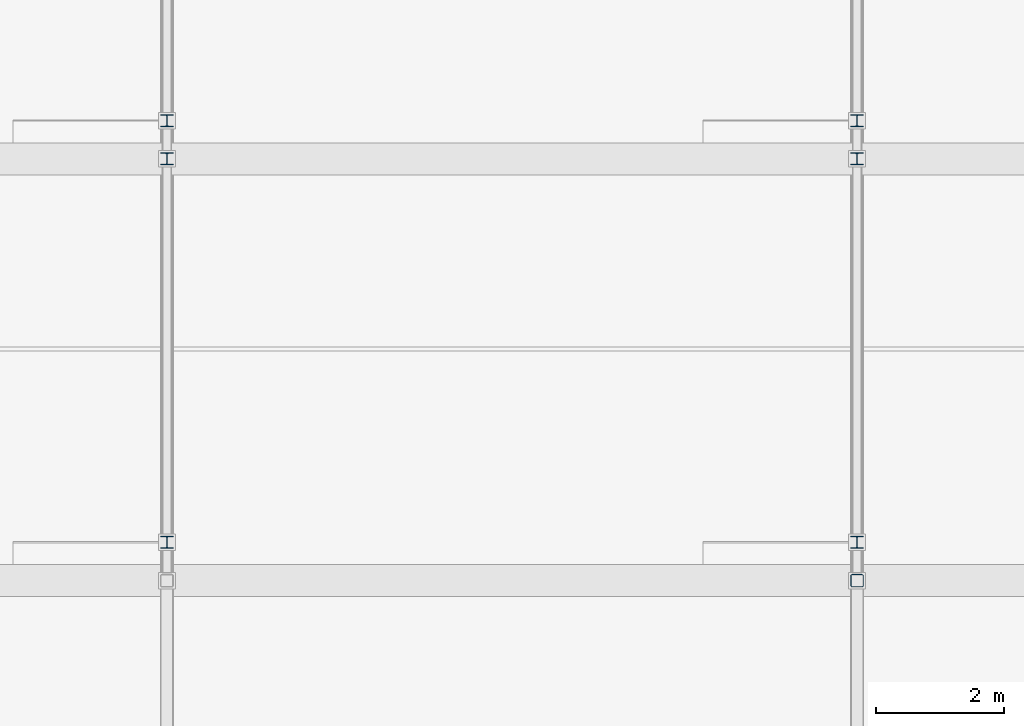
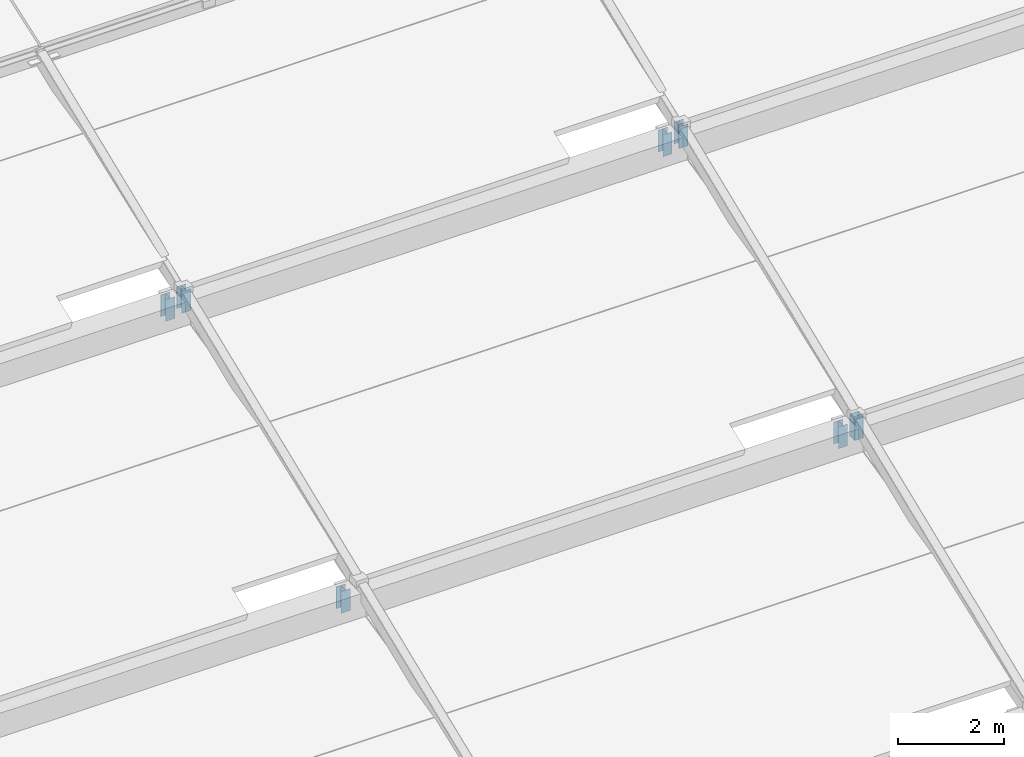
# One storey, part 72 of 112: 7 members.
"""IFC4 building model written with IfcOpenShell, lengths in metres."""

from ifc_helpers import new_model, si_unit, direction, frame, origin, origin_2d, place, context, subcontext, project, spatial, hollow_rectangle, i_section, extrude, material, material_profile, profile_set, type_object, element, save


model = new_model("IFC4")

# Units and contexts
model_context = context("Model", 3, precision=1e-05, world=origin(), true_north=direction((0.0, 1.0)))
body_context = subcontext(model_context, "Body", "Model", "MODEL_VIEW")
ifc_project = project(units=[si_unit("LENGTHUNIT", "METRE"), si_unit("AREAUNIT", "SQUARE_METRE"), si_unit("VOLUMEUNIT", "CUBIC_METRE"), si_unit("PLANEANGLEUNIT", "RADIAN"), si_unit("MASSUNIT", "GRAM", prefix="KILO")], contexts=[model_context])

# Site, building, storey
site_placement = place(None, origin())
site = spatial("IfcSite", under=ifc_project, at=site_placement, CompositionType="ELEMENT")
building_placement = place(site_placement, origin())
building = spatial("IfcBuilding", under=site, at=building_placement, Name="Zwinboog Wholesale Market", CompositionType="ELEMENT")
storey_placement = place(building_placement, frame((0.0, 0.0, 19.080078125)))
storey = spatial("IfcBuildingStorey", under=building, at=storey_placement, Name="Roof", CompositionType="ELEMENT", Elevation=19.080078125)

# Members
ifc_material = material(Name="Steel S355", Category="steel")
ifc_material_profile_1 = material_profile(ifc_material, hollow_rectangle(XDim=0.199951171875, YDim=0.199951171875, WallThickness=0.010009765625, InnerFilletRadius=0.010009765625, OuterFilletRadius=0.02001953125, at=origin_2d()), Name="SHS 200x200x10")
ifc_profile_set_1 = profile_set([ifc_material_profile_1], Name="Steel S355")
member_type_1 = type_object("IfcMemberType", Name="MT-04", PredefinedType="BRACE", material=ifc_profile_set_1)
member_placement = place(storey_placement, frame((108.0, 56.39990234375, -4.630126953125), z_axis=(0.0, 0.0, 1.0), x_axis=(1.0, 0.0, 0.0)))
element("IfcMember", 1, at=member_placement, inside=storey, type_object=member_type_1, Name="DB-01 (MEM-Roof-0128)", PredefinedType="BRACE", context=body_context, shape_type="SweptSolid", body=[
    extrude(hollow_rectangle(XDim=0.199951171875, YDim=0.199951171875, WallThickness=0.010009765625, InnerFilletRadius=0.010009765625, OuterFilletRadius=0.02001953125, at=origin_2d()), origin(), (0.0, 0.0, 1.0), 0.5),
])
ifc_material_profile_2 = material_profile(ifc_material, i_section(OverallWidth=0.199951171875, OverallDepth=0.18994140625, WebThickness=0.006591796875, FlangeThickness=0.010009765625, FilletRadius=0.01806640625, at=origin_2d()), Name="HEA 200")
ifc_profile_set_2 = profile_set([ifc_material_profile_2], Name="Steel S355")
member_type_2 = type_object("IfcMemberType", Name="MT-05", PredefinedType="BRACE", material=ifc_profile_set_2)
for number, where, z_axis, x_axis, name in (
    (2, (97.199951171875, 57.0, -5.18017578125), (0.0, 0.0, 1.0), (1.0, 0.0, 0.0), "DB-02 (MEM-Roof-0096)"),
    (3, (97.199951171875, 63.60009765625, -2.47998046875), (0.0, 0.0, 1.0), (1.0, 0.0, 0.0), "DB-02 (MEM-Roof-0099)"),
    (4, (97.199951171875, 63.0, -1.93017578125), (0.0, 0.0, 1.0), (1.0, 0.0, 0.0), "DB-02 (MEM-Roof-0101)"),
    (5, (108.0, 57.0, -5.18017578125), (0.0, 0.0, 1.0), (1.0, 0.0, 0.0), "DB-02 (MEM-Roof-0126)"),
    (6, (108.0, 63.60009765625, -2.47998046875), (0.0, 0.0, 1.0), (1.0, 0.0, 0.0), "DB-02 (MEM-Roof-0129)"),
    (7, (108.0, 63.0, -1.93017578125), (0.0, 0.0, 1.0), (1.0, 0.0, 0.0), "DB-02 (MEM-Roof-0131)"),
):
    element("IfcMember", number, at=place(storey_placement, frame(where, z_axis=z_axis, x_axis=x_axis)), inside=storey, type_object=member_type_2, Name=name, PredefinedType="BRACE", context=body_context, shape_type="SweptSolid", body=[
        extrude(i_section(OverallWidth=0.199951171875, OverallDepth=0.18994140625, WebThickness=0.006591796875, FlangeThickness=0.010009765625, FilletRadius=0.01806640625, at=origin_2d()), origin(), (0.0, 0.0, 1.0), 0.5),
    ])

save(model, "model.ifc")
